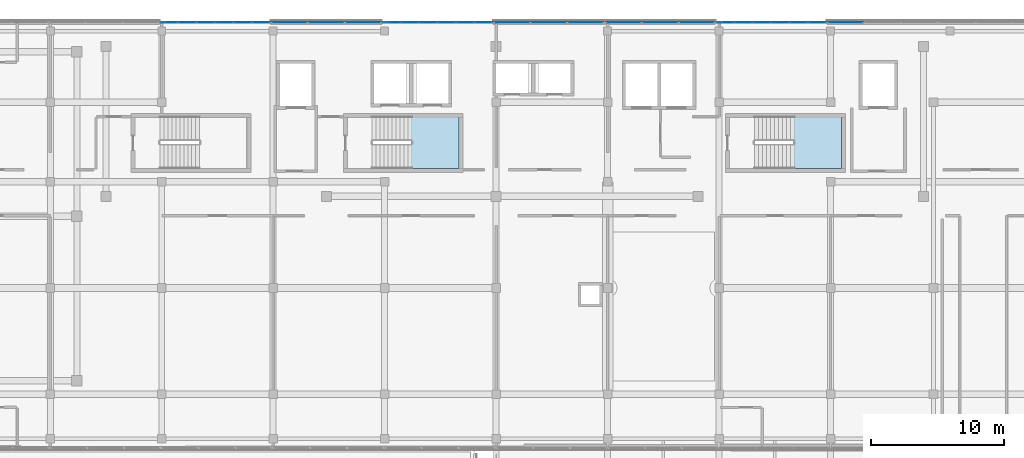
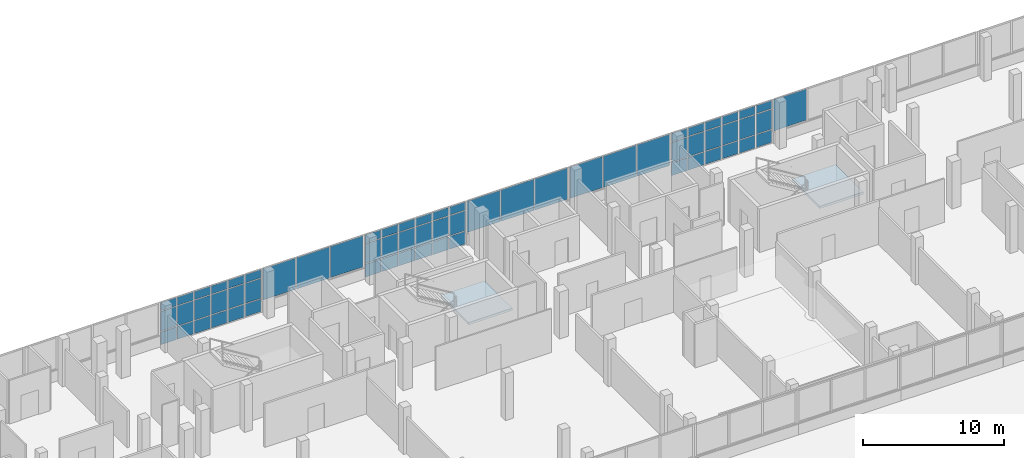
# One storey, part 62 of 78: 64 plates, 2 slabs, 9 elements without a shape of their own.
"""IFC4 building model written with IfcOpenShell, lengths in metres."""

from ifc_helpers import new_model, si_unit, direction, frame, origin, origin_2d, place, context, subcontext, project, spatial, polyline, rectangle, outline, extrude, material, layer, layer_set, type_object, element, aggregate, save


model = new_model("IFC4")

# Units and contexts
model_context = context("Model", 3, precision=1e-05, world=origin(), true_north=direction((0.0, 1.0)))
body_context = subcontext(model_context, "Body", "Model", "MODEL_VIEW")
ifc_project = project(units=[si_unit("LENGTHUNIT", "METRE"), si_unit("AREAUNIT", "SQUARE_METRE"), si_unit("VOLUMEUNIT", "CUBIC_METRE"), si_unit("PLANEANGLEUNIT", "RADIAN"), si_unit("MASSUNIT", "GRAM", prefix="KILO")], contexts=[model_context])

# Site, building, storey
site_placement = place(None, origin())
site = spatial("IfcSite", under=ifc_project, at=site_placement, CompositionType="ELEMENT")
building_placement = place(site_placement, origin())
building = spatial("IfcBuilding", under=site, at=building_placement, Name="Selatvlak General Hospital", CompositionType="ELEMENT")
storey_placement = place(building_placement, frame((0.0, 0.0, 23.25)))
storey = spatial("IfcBuildingStorey", under=building, at=storey_placement, Name="L05", CompositionType="ELEMENT", Elevation=23.25)

# Curtain wall, plates
ifc_material_1 = material(Name="Solar-control Low-E double glazing", Category="glass")
curtain_wall_type_1 = type_object("IfcCurtainWallType", Name="CW-CW-04", PredefinedType="USERDEFINED", material=ifc_material_1)
curtain_wall_1_placement = place(storey_placement, origin())
curtain_wall_1 = element("IfcCurtainWall", 1, at=curtain_wall_1_placement, inside=storey, type_object=curtain_wall_type_1, Name="Glazed facade curtain wall CW-L05-0555", ObjectType="STICK GLAZING WALL", PredefinedType="USERDEFINED")
ifc_layer_1 = layer(ifc_material_1, 0.028076171875, Name="Solar-control Low-E double glazing", Category="glass")
ifc_layer_set_1 = layer_set([ifc_layer_1], Name="Solar-control Low-E double glazing")
plate_type = type_object("IfcPlateType", Name="CWP-01", PredefinedType="CURTAIN_PANEL", material=ifc_layer_set_1)
plate_1_placement = place(storey_placement, frame((90.55810546875, 119.9990234375, 0.06494140625), z_axis=(0.0, 0.0, 1.0), x_axis=(1.0, 0.0, 0.0)))
plate_1 = element("IfcPlate", 2, at=plate_1_placement, type_object=plate_type, Name="CW-04 panel 1.1", PredefinedType="CURTAIN_PANEL", context=body_context, shape_type="SweptSolid", body=[
    extrude(rectangle(XDim=1.2939453125, YDim=0.028076171875, at=origin_2d()), origin(), (0.0, 0.0, 1.0), 1.1025390625),
])
plate_2_placement = place(storey_placement, frame((90.55810546875, 119.9990234375, 1.232421875), z_axis=(0.0, 0.0, 1.0), x_axis=(1.0, 0.0, 0.0)))
plate_2 = element("IfcPlate", 3, at=plate_2_placement, type_object=plate_type, Name="CW-04 panel 1.2", PredefinedType="CURTAIN_PANEL", context=body_context, shape_type="SweptSolid", body=[
    extrude(rectangle(XDim=1.2939453125, YDim=0.028076171875, at=origin_2d()), origin(), (0.0, 0.0, 1.0), 1.7099609375),
])
plate_3_placement = place(storey_placement, frame((90.55810546875, 119.9990234375, 3.00732421875), z_axis=(0.0, 0.0, 1.0), x_axis=(1.0, 0.0, 0.0)))
plate_3 = element("IfcPlate", 4, at=plate_3_placement, type_object=plate_type, Name="CW-04 panel 1.3", PredefinedType="CURTAIN_PANEL", context=body_context, shape_type="SweptSolid", body=[
    extrude(rectangle(XDim=1.2939453125, YDim=0.028076171875, at=origin_2d()), origin(), (0.0, 0.0, 1.0), 0.702392578125),
])
plate_4_placement = place(storey_placement, frame((91.933349609375, 119.9990234375, 0.06494140625), z_axis=(0.0, 0.0, 1.0), x_axis=(1.0, 0.0, 0.0)))
plate_4 = element("IfcPlate", 5, at=plate_4_placement, type_object=plate_type, Name="CW-04 panel 2.1", PredefinedType="CURTAIN_PANEL", context=body_context, shape_type="SweptSolid", body=[
    extrude(rectangle(XDim=1.326416015625, YDim=0.028076171875, at=origin_2d()), origin(), (0.0, 0.0, 1.0), 1.1025390625),
])
plate_5_placement = place(storey_placement, frame((91.933349609375, 119.9990234375, 1.232421875), z_axis=(0.0, 0.0, 1.0), x_axis=(1.0, 0.0, 0.0)))
plate_5 = element("IfcPlate", 6, at=plate_5_placement, type_object=plate_type, Name="CW-04 panel 2.2", PredefinedType="CURTAIN_PANEL", context=body_context, shape_type="SweptSolid", body=[
    extrude(rectangle(XDim=1.326416015625, YDim=0.028076171875, at=origin_2d()), origin(), (0.0, 0.0, 1.0), 1.7099609375),
])
plate_6_placement = place(storey_placement, frame((91.933349609375, 119.9990234375, 3.00732421875), z_axis=(0.0, 0.0, 1.0), x_axis=(1.0, 0.0, 0.0)))
plate_6 = element("IfcPlate", 7, at=plate_6_placement, type_object=plate_type, Name="CW-04 panel 2.3", PredefinedType="CURTAIN_PANEL", context=body_context, shape_type="SweptSolid", body=[
    extrude(rectangle(XDim=1.326416015625, YDim=0.028076171875, at=origin_2d()), origin(), (0.0, 0.0, 1.0), 0.702392578125),
])
plate_7_placement = place(storey_placement, frame((93.32470703125, 119.9990234375, 0.06494140625), z_axis=(0.0, 0.0, 1.0), x_axis=(1.0, 0.0, 0.0)))
plate_7 = element("IfcPlate", 8, at=plate_7_placement, type_object=plate_type, Name="CW-04 panel 3.1", PredefinedType="CURTAIN_PANEL", context=body_context, shape_type="SweptSolid", body=[
    extrude(rectangle(XDim=1.326416015625, YDim=0.028076171875, at=origin_2d()), origin(), (0.0, 0.0, 1.0), 1.1025390625),
])
plate_8_placement = place(storey_placement, frame((93.32470703125, 119.9990234375, 1.232421875), z_axis=(0.0, 0.0, 1.0), x_axis=(1.0, 0.0, 0.0)))
plate_8 = element("IfcPlate", 9, at=plate_8_placement, type_object=plate_type, Name="CW-04 panel 3.2", PredefinedType="CURTAIN_PANEL", context=body_context, shape_type="SweptSolid", body=[
    extrude(rectangle(XDim=1.326416015625, YDim=0.028076171875, at=origin_2d()), origin(), (0.0, 0.0, 1.0), 1.7099609375),
])
plate_9_placement = place(storey_placement, frame((93.32470703125, 119.9990234375, 3.00732421875), z_axis=(0.0, 0.0, 1.0), x_axis=(1.0, 0.0, 0.0)))
plate_9 = element("IfcPlate", 10, at=plate_9_placement, type_object=plate_type, Name="CW-04 panel 3.3", PredefinedType="CURTAIN_PANEL", context=body_context, shape_type="SweptSolid", body=[
    extrude(rectangle(XDim=1.326416015625, YDim=0.028076171875, at=origin_2d()), origin(), (0.0, 0.0, 1.0), 0.702392578125),
])
plate_10_placement = place(storey_placement, frame((94.71630859375, 119.9990234375, 0.06494140625), z_axis=(0.0, 0.0, 1.0), x_axis=(1.0, 0.0, 0.0)))
plate_10 = element("IfcPlate", 11, at=plate_10_placement, type_object=plate_type, Name="CW-04 panel 4.1", PredefinedType="CURTAIN_PANEL", context=body_context, shape_type="SweptSolid", body=[
    extrude(rectangle(XDim=1.326416015625, YDim=0.028076171875, at=origin_2d()), origin(), (0.0, 0.0, 1.0), 1.1025390625),
])
plate_11_placement = place(storey_placement, frame((94.71630859375, 119.9990234375, 1.232421875), z_axis=(0.0, 0.0, 1.0), x_axis=(1.0, 0.0, 0.0)))
plate_11 = element("IfcPlate", 12, at=plate_11_placement, type_object=plate_type, Name="CW-04 panel 4.2", PredefinedType="CURTAIN_PANEL", context=body_context, shape_type="SweptSolid", body=[
    extrude(rectangle(XDim=1.326416015625, YDim=0.028076171875, at=origin_2d()), origin(), (0.0, 0.0, 1.0), 1.7099609375),
])
plate_12_placement = place(storey_placement, frame((94.71630859375, 119.9990234375, 3.00732421875), z_axis=(0.0, 0.0, 1.0), x_axis=(1.0, 0.0, 0.0)))
plate_12 = element("IfcPlate", 13, at=plate_12_placement, type_object=plate_type, Name="CW-04 panel 4.3", PredefinedType="CURTAIN_PANEL", context=body_context, shape_type="SweptSolid", body=[
    extrude(rectangle(XDim=1.326416015625, YDim=0.028076171875, at=origin_2d()), origin(), (0.0, 0.0, 1.0), 0.702392578125),
])
plate_13_placement = place(storey_placement, frame((96.107666015625, 119.9990234375, 0.06494140625), z_axis=(0.0, 0.0, 1.0), x_axis=(1.0, 0.0, 0.0)))
plate_13 = element("IfcPlate", 14, at=plate_13_placement, type_object=plate_type, Name="CW-04 panel 5.1", PredefinedType="CURTAIN_PANEL", context=body_context, shape_type="SweptSolid", body=[
    extrude(rectangle(XDim=1.326416015625, YDim=0.028076171875, at=origin_2d()), origin(), (0.0, 0.0, 1.0), 1.1025390625),
])
plate_14_placement = place(storey_placement, frame((96.107666015625, 119.9990234375, 1.232421875), z_axis=(0.0, 0.0, 1.0), x_axis=(1.0, 0.0, 0.0)))
plate_14 = element("IfcPlate", 15, at=plate_14_placement, type_object=plate_type, Name="CW-04 panel 5.2", PredefinedType="CURTAIN_PANEL", context=body_context, shape_type="SweptSolid", body=[
    extrude(rectangle(XDim=1.326416015625, YDim=0.028076171875, at=origin_2d()), origin(), (0.0, 0.0, 1.0), 1.7099609375),
])
plate_15_placement = place(storey_placement, frame((96.107666015625, 119.9990234375, 3.00732421875), z_axis=(0.0, 0.0, 1.0), x_axis=(1.0, 0.0, 0.0)))
plate_15 = element("IfcPlate", 16, at=plate_15_placement, type_object=plate_type, Name="CW-04 panel 5.3", PredefinedType="CURTAIN_PANEL", context=body_context, shape_type="SweptSolid", body=[
    extrude(rectangle(XDim=1.326416015625, YDim=0.028076171875, at=origin_2d()), origin(), (0.0, 0.0, 1.0), 0.702392578125),
])
plate_16_placement = place(storey_placement, frame((97.48291015625, 119.9990234375, 0.06494140625), z_axis=(0.0, 0.0, 1.0), x_axis=(1.0, 0.0, 0.0)))
plate_16 = element("IfcPlate", 17, at=plate_16_placement, type_object=plate_type, Name="CW-04 panel 6.1", PredefinedType="CURTAIN_PANEL", context=body_context, shape_type="SweptSolid", body=[
    extrude(rectangle(XDim=1.2939453125, YDim=0.028076171875, at=origin_2d()), origin(), (0.0, 0.0, 1.0), 1.1025390625),
])
plate_17_placement = place(storey_placement, frame((97.48291015625, 119.9990234375, 1.232421875), z_axis=(0.0, 0.0, 1.0), x_axis=(1.0, 0.0, 0.0)))
plate_17 = element("IfcPlate", 18, at=plate_17_placement, type_object=plate_type, Name="CW-04 panel 6.2", PredefinedType="CURTAIN_PANEL", context=body_context, shape_type="SweptSolid", body=[
    extrude(rectangle(XDim=1.2939453125, YDim=0.028076171875, at=origin_2d()), origin(), (0.0, 0.0, 1.0), 1.7099609375),
])
plate_18_placement = place(storey_placement, frame((97.48291015625, 119.9990234375, 3.00732421875), z_axis=(0.0, 0.0, 1.0), x_axis=(1.0, 0.0, 0.0)))
plate_18 = element("IfcPlate", 19, at=plate_18_placement, type_object=plate_type, Name="CW-04 panel 6.3", PredefinedType="CURTAIN_PANEL", context=body_context, shape_type="SweptSolid", body=[
    extrude(rectangle(XDim=1.2939453125, YDim=0.028076171875, at=origin_2d()), origin(), (0.0, 0.0, 1.0), 0.702392578125),
])
aggregate(curtain_wall_1, [plate_1, plate_2, plate_3, plate_4, plate_5, plate_6, plate_7, plate_8, plate_9, plate_10, plate_11, plate_12, plate_13, plate_14, plate_15, plate_16, plate_17, plate_18])

curtain_wall_type_2 = type_object("IfcCurtainWallType", Name="CW-CW-02", PredefinedType="USERDEFINED", material=ifc_material_1)
curtain_wall_2_placement = place(storey_placement, origin())
curtain_wall_2 = element("IfcCurtainWall", 20, at=curtain_wall_2_placement, inside=storey, type_object=curtain_wall_type_2, Name="Glazed facade curtain wall CW-L05-0556", ObjectType="UNITISED CURTAIN WALL", PredefinedType="USERDEFINED")
plate_19_placement = place(storey_placement, frame((99.6328125, 119.999267578125, 1.0048828125), z_axis=(0.0, 0.0, 1.0), x_axis=(0.999999992827, 0.000119774825, 0.0)))
plate_19 = element("IfcPlate", 21, at=plate_19_placement, type_object=plate_type, Name="CW-02 panel 1.1", PredefinedType="CURTAIN_PANEL", context=body_context, shape_type="SweptSolid", body=[
    extrude(rectangle(XDim=2.685546875, YDim=0.028076171875, at=origin_2d()), origin(), (0.0, 0.0, 1.0), 2.705078125),
])
plate_20_placement = place(storey_placement, frame((102.3994140625, 119.99951171875, 1.0048828125), z_axis=(0.0, 0.0, 1.0), x_axis=(0.999999992827, 0.000119774825, 0.0)))
plate_20 = element("IfcPlate", 22, at=plate_20_placement, type_object=plate_type, Name="CW-02 panel 2.1", PredefinedType="CURTAIN_PANEL", context=body_context, shape_type="SweptSolid", body=[
    extrude(rectangle(XDim=2.718017578125, YDim=0.028076171875, at=origin_2d()), origin(), (0.0, 0.0, 1.0), 2.705078125),
])
plate_21_placement = place(storey_placement, frame((105.166259765625, 119.999755859375, 1.0048828125), z_axis=(0.0, 0.0, 1.0), x_axis=(0.999999992827, 0.000119774825, 0.0)))
plate_21 = element("IfcPlate", 23, at=plate_21_placement, type_object=plate_type, Name="CW-02 panel 3.1", PredefinedType="CURTAIN_PANEL", context=body_context, shape_type="SweptSolid", body=[
    extrude(rectangle(XDim=2.685546875, YDim=0.028076171875, at=origin_2d()), origin(), (0.0, 0.0, 1.0), 2.705078125),
])
aggregate(curtain_wall_2, [plate_19, plate_20, plate_21])

curtain_wall_3_placement = place(storey_placement, origin())
curtain_wall_3 = element("IfcCurtainWall", 24, at=curtain_wall_3_placement, inside=storey, type_object=curtain_wall_type_1, Name="Glazed facade curtain wall CW-L05-0557", ObjectType="STICK GLAZING WALL", PredefinedType="USERDEFINED")
plate_22_placement = place(storey_placement, frame((107.31591796875, 120.0, 0.06494140625), z_axis=(0.0, 0.0, 1.0), x_axis=(1.0, 0.0, 0.0)))
plate_22 = element("IfcPlate", 25, at=plate_22_placement, type_object=plate_type, Name="CW-04 panel 1.1", PredefinedType="CURTAIN_PANEL", context=body_context, shape_type="SweptSolid", body=[
    extrude(rectangle(XDim=1.2939453125, YDim=0.028076171875, at=origin_2d()), origin(), (0.0, 0.0, 1.0), 1.1025390625),
])
plate_23_placement = place(storey_placement, frame((107.31591796875, 120.0, 1.232421875), z_axis=(0.0, 0.0, 1.0), x_axis=(1.0, 0.0, 0.0)))
plate_23 = element("IfcPlate", 26, at=plate_23_placement, type_object=plate_type, Name="CW-04 panel 1.2", PredefinedType="CURTAIN_PANEL", context=body_context, shape_type="SweptSolid", body=[
    extrude(rectangle(XDim=1.2939453125, YDim=0.028076171875, at=origin_2d()), origin(), (0.0, 0.0, 1.0), 1.7099609375),
])
plate_24_placement = place(storey_placement, frame((107.31591796875, 120.0, 3.00732421875), z_axis=(0.0, 0.0, 1.0), x_axis=(1.0, 0.0, 0.0)))
plate_24 = element("IfcPlate", 27, at=plate_24_placement, type_object=plate_type, Name="CW-04 panel 1.3", PredefinedType="CURTAIN_PANEL", context=body_context, shape_type="SweptSolid", body=[
    extrude(rectangle(XDim=1.2939453125, YDim=0.028076171875, at=origin_2d()), origin(), (0.0, 0.0, 1.0), 0.702392578125),
])
plate_25_placement = place(storey_placement, frame((108.691162109375, 120.0, 0.06494140625), z_axis=(0.0, 0.0, 1.0), x_axis=(1.0, 0.0, 0.0)))
plate_25 = element("IfcPlate", 28, at=plate_25_placement, type_object=plate_type, Name="CW-04 panel 2.1", PredefinedType="CURTAIN_PANEL", context=body_context, shape_type="SweptSolid", body=[
    extrude(rectangle(XDim=1.326416015625, YDim=0.028076171875, at=origin_2d()), origin(), (0.0, 0.0, 1.0), 1.1025390625),
])
plate_26_placement = place(storey_placement, frame((108.691162109375, 120.0, 1.232421875), z_axis=(0.0, 0.0, 1.0), x_axis=(1.0, 0.0, 0.0)))
plate_26 = element("IfcPlate", 29, at=plate_26_placement, type_object=plate_type, Name="CW-04 panel 2.2", PredefinedType="CURTAIN_PANEL", context=body_context, shape_type="SweptSolid", body=[
    extrude(rectangle(XDim=1.326416015625, YDim=0.028076171875, at=origin_2d()), origin(), (0.0, 0.0, 1.0), 1.7099609375),
])
plate_27_placement = place(storey_placement, frame((108.691162109375, 120.0, 3.00732421875), z_axis=(0.0, 0.0, 1.0), x_axis=(1.0, 0.0, 0.0)))
plate_27 = element("IfcPlate", 30, at=plate_27_placement, type_object=plate_type, Name="CW-04 panel 2.3", PredefinedType="CURTAIN_PANEL", context=body_context, shape_type="SweptSolid", body=[
    extrude(rectangle(XDim=1.326416015625, YDim=0.028076171875, at=origin_2d()), origin(), (0.0, 0.0, 1.0), 0.702392578125),
])
plate_28_placement = place(storey_placement, frame((110.082763671875, 120.0, 0.06494140625), z_axis=(0.0, 0.0, 1.0), x_axis=(1.0, 0.0, 0.0)))
plate_28 = element("IfcPlate", 31, at=plate_28_placement, type_object=plate_type, Name="CW-04 panel 3.1", PredefinedType="CURTAIN_PANEL", context=body_context, shape_type="SweptSolid", body=[
    extrude(rectangle(XDim=1.326416015625, YDim=0.028076171875, at=origin_2d()), origin(), (0.0, 0.0, 1.0), 1.1025390625),
])
plate_29_placement = place(storey_placement, frame((110.082763671875, 120.0, 1.232421875), z_axis=(0.0, 0.0, 1.0), x_axis=(1.0, 0.0, 0.0)))
plate_29 = element("IfcPlate", 32, at=plate_29_placement, type_object=plate_type, Name="CW-04 panel 3.2", PredefinedType="CURTAIN_PANEL", context=body_context, shape_type="SweptSolid", body=[
    extrude(rectangle(XDim=1.326416015625, YDim=0.028076171875, at=origin_2d()), origin(), (0.0, 0.0, 1.0), 1.7099609375),
])
plate_30_placement = place(storey_placement, frame((110.082763671875, 120.0, 3.00732421875), z_axis=(0.0, 0.0, 1.0), x_axis=(1.0, 0.0, 0.0)))
plate_30 = element("IfcPlate", 33, at=plate_30_placement, type_object=plate_type, Name="CW-04 panel 3.3", PredefinedType="CURTAIN_PANEL", context=body_context, shape_type="SweptSolid", body=[
    extrude(rectangle(XDim=1.326416015625, YDim=0.028076171875, at=origin_2d()), origin(), (0.0, 0.0, 1.0), 0.702392578125),
])
plate_31_placement = place(storey_placement, frame((111.474365234375, 120.0, 0.06494140625), z_axis=(0.0, 0.0, 1.0), x_axis=(1.0, 0.0, 0.0)))
plate_31 = element("IfcPlate", 34, at=plate_31_placement, type_object=plate_type, Name="CW-04 panel 4.1", PredefinedType="CURTAIN_PANEL", context=body_context, shape_type="SweptSolid", body=[
    extrude(rectangle(XDim=1.326416015625, YDim=0.028076171875, at=origin_2d()), origin(), (0.0, 0.0, 1.0), 1.1025390625),
])
plate_32_placement = place(storey_placement, frame((111.474365234375, 120.0, 1.232421875), z_axis=(0.0, 0.0, 1.0), x_axis=(1.0, 0.0, 0.0)))
plate_32 = element("IfcPlate", 35, at=plate_32_placement, type_object=plate_type, Name="CW-04 panel 4.2", PredefinedType="CURTAIN_PANEL", context=body_context, shape_type="SweptSolid", body=[
    extrude(rectangle(XDim=1.326416015625, YDim=0.028076171875, at=origin_2d()), origin(), (0.0, 0.0, 1.0), 1.7099609375),
])
plate_33_placement = place(storey_placement, frame((111.474365234375, 120.0, 3.00732421875), z_axis=(0.0, 0.0, 1.0), x_axis=(1.0, 0.0, 0.0)))
plate_33 = element("IfcPlate", 36, at=plate_33_placement, type_object=plate_type, Name="CW-04 panel 4.3", PredefinedType="CURTAIN_PANEL", context=body_context, shape_type="SweptSolid", body=[
    extrude(rectangle(XDim=1.326416015625, YDim=0.028076171875, at=origin_2d()), origin(), (0.0, 0.0, 1.0), 0.702392578125),
])
plate_34_placement = place(storey_placement, frame((112.86572265625, 120.0, 0.06494140625), z_axis=(0.0, 0.0, 1.0), x_axis=(1.0, 0.0, 0.0)))
plate_34 = element("IfcPlate", 37, at=plate_34_placement, type_object=plate_type, Name="CW-04 panel 5.1", PredefinedType="CURTAIN_PANEL", context=body_context, shape_type="SweptSolid", body=[
    extrude(rectangle(XDim=1.326416015625, YDim=0.028076171875, at=origin_2d()), origin(), (0.0, 0.0, 1.0), 1.1025390625),
])
plate_35_placement = place(storey_placement, frame((112.86572265625, 120.0, 1.232421875), z_axis=(0.0, 0.0, 1.0), x_axis=(1.0, 0.0, 0.0)))
plate_35 = element("IfcPlate", 38, at=plate_35_placement, type_object=plate_type, Name="CW-04 panel 5.2", PredefinedType="CURTAIN_PANEL", context=body_context, shape_type="SweptSolid", body=[
    extrude(rectangle(XDim=1.326416015625, YDim=0.028076171875, at=origin_2d()), origin(), (0.0, 0.0, 1.0), 1.7099609375),
])
plate_36_placement = place(storey_placement, frame((112.86572265625, 120.0, 3.00732421875), z_axis=(0.0, 0.0, 1.0), x_axis=(1.0, 0.0, 0.0)))
plate_36 = element("IfcPlate", 39, at=plate_36_placement, type_object=plate_type, Name="CW-04 panel 5.3", PredefinedType="CURTAIN_PANEL", context=body_context, shape_type="SweptSolid", body=[
    extrude(rectangle(XDim=1.326416015625, YDim=0.028076171875, at=origin_2d()), origin(), (0.0, 0.0, 1.0), 0.702392578125),
])
plate_37_placement = place(storey_placement, frame((114.240966796875, 120.0, 0.06494140625), z_axis=(0.0, 0.0, 1.0), x_axis=(1.0, 0.0, 0.0)))
plate_37 = element("IfcPlate", 40, at=plate_37_placement, type_object=plate_type, Name="CW-04 panel 6.1", PredefinedType="CURTAIN_PANEL", context=body_context, shape_type="SweptSolid", body=[
    extrude(rectangle(XDim=1.2939453125, YDim=0.028076171875, at=origin_2d()), origin(), (0.0, 0.0, 1.0), 1.1025390625),
])
plate_38_placement = place(storey_placement, frame((114.240966796875, 120.0, 1.232421875), z_axis=(0.0, 0.0, 1.0), x_axis=(1.0, 0.0, 0.0)))
plate_38 = element("IfcPlate", 41, at=plate_38_placement, type_object=plate_type, Name="CW-04 panel 6.2", PredefinedType="CURTAIN_PANEL", context=body_context, shape_type="SweptSolid", body=[
    extrude(rectangle(XDim=1.2939453125, YDim=0.028076171875, at=origin_2d()), origin(), (0.0, 0.0, 1.0), 1.7099609375),
])
plate_39_placement = place(storey_placement, frame((114.240966796875, 120.0, 3.00732421875), z_axis=(0.0, 0.0, 1.0), x_axis=(1.0, 0.0, 0.0)))
plate_39 = element("IfcPlate", 42, at=plate_39_placement, type_object=plate_type, Name="CW-04 panel 6.3", PredefinedType="CURTAIN_PANEL", context=body_context, shape_type="SweptSolid", body=[
    extrude(rectangle(XDim=1.2939453125, YDim=0.028076171875, at=origin_2d()), origin(), (0.0, 0.0, 1.0), 0.702392578125),
])
aggregate(curtain_wall_3, [plate_22, plate_23, plate_24, plate_25, plate_26, plate_27, plate_28, plate_29, plate_30, plate_31, plate_32, plate_33, plate_34, plate_35, plate_36, plate_37, plate_38, plate_39])

curtain_wall_4_placement = place(storey_placement, origin())
curtain_wall_4 = element("IfcCurtainWall", 43, at=curtain_wall_4_placement, inside=storey, type_object=curtain_wall_type_2, Name="Glazed facade curtain wall CW-L05-0558", ObjectType="UNITISED CURTAIN WALL", PredefinedType="USERDEFINED")
plate_40_placement = place(storey_placement, frame((116.390869140625, 120.0, 1.0048828125), z_axis=(0.0, 0.0, 1.0), x_axis=(1.0, 0.0, 0.0)))
plate_40 = element("IfcPlate", 44, at=plate_40_placement, type_object=plate_type, Name="CW-02 panel 1.1", PredefinedType="CURTAIN_PANEL", context=body_context, shape_type="SweptSolid", body=[
    extrude(rectangle(XDim=2.685546875, YDim=0.028076171875, at=origin_2d()), origin(), (0.0, 0.0, 1.0), 2.705078125),
])
plate_41_placement = place(storey_placement, frame((119.157470703125, 120.0, 1.0048828125), z_axis=(0.0, 0.0, 1.0), x_axis=(1.0, 0.0, 0.0)))
plate_41 = element("IfcPlate", 45, at=plate_41_placement, type_object=plate_type, Name="CW-02 panel 2.1", PredefinedType="CURTAIN_PANEL", context=body_context, shape_type="SweptSolid", body=[
    extrude(rectangle(XDim=2.718017578125, YDim=0.028076171875, at=origin_2d()), origin(), (0.0, 0.0, 1.0), 2.705078125),
])
plate_42_placement = place(storey_placement, frame((121.92431640625, 120.0, 1.0048828125), z_axis=(0.0, 0.0, 1.0), x_axis=(1.0, 0.0, 0.0)))
plate_42 = element("IfcPlate", 46, at=plate_42_placement, type_object=plate_type, Name="CW-02 panel 3.1", PredefinedType="CURTAIN_PANEL", context=body_context, shape_type="SweptSolid", body=[
    extrude(rectangle(XDim=2.685546875, YDim=0.028076171875, at=origin_2d()), origin(), (0.0, 0.0, 1.0), 2.705078125),
])
aggregate(curtain_wall_4, [plate_40, plate_41, plate_42])

curtain_wall_type_3 = type_object("IfcCurtainWallType", Name="CW-CW-01", PredefinedType="USERDEFINED", material=ifc_material_1)
curtain_wall_5_placement = place(storey_placement, origin())
curtain_wall_5 = element("IfcCurtainWall", 47, at=curtain_wall_5_placement, inside=storey, type_object=curtain_wall_type_3, Name="Glazed facade curtain wall CW-L05-0559", ObjectType="UNITISED CURTAIN WALL", PredefinedType="USERDEFINED")
plate_43_placement = place(storey_placement, frame((124.8115234375, 120.0, 1.0048828125), z_axis=(0.0, 0.0, 1.0), x_axis=(1.0, 0.0, 0.0)))
plate_43 = element("IfcPlate", 48, at=plate_43_placement, type_object=plate_type, Name="CW-01 panel 1.1", PredefinedType="CURTAIN_PANEL", context=body_context, shape_type="SweptSolid", body=[
    extrude(rectangle(XDim=2.6689453125, YDim=0.028076171875, at=origin_2d()), origin(), (0.0, 0.0, 1.0), 2.705078125),
])
plate_44_placement = place(storey_placement, frame((127.5615234375, 120.0, 1.0048828125), z_axis=(0.0, 0.0, 1.0), x_axis=(1.0, 0.0, 0.0)))
plate_44 = element("IfcPlate", 49, at=plate_44_placement, type_object=plate_type, Name="CW-01 panel 2.1", PredefinedType="CURTAIN_PANEL", context=body_context, shape_type="SweptSolid", body=[
    extrude(rectangle(XDim=2.701416015625, YDim=0.028076171875, at=origin_2d()), origin(), (0.0, 0.0, 1.0), 2.705078125),
])
plate_45_placement = place(storey_placement, frame((130.3115234375, 120.0, 1.0048828125), z_axis=(0.0, 0.0, 1.0), x_axis=(1.0, 0.0, 0.0)))
plate_45 = element("IfcPlate", 50, at=plate_45_placement, type_object=plate_type, Name="CW-01 panel 3.1", PredefinedType="CURTAIN_PANEL", context=body_context, shape_type="SweptSolid", body=[
    extrude(rectangle(XDim=2.6689453125, YDim=0.028076171875, at=origin_2d()), origin(), (0.0, 0.0, 1.0), 2.705078125),
])
aggregate(curtain_wall_5, [plate_43, plate_44, plate_45])

curtain_wall_6_placement = place(storey_placement, origin())
curtain_wall_6 = element("IfcCurtainWall", 51, at=curtain_wall_6_placement, inside=storey, type_object=curtain_wall_type_1, Name="Glazed facade curtain wall CW-L05-0560", ObjectType="STICK GLAZING WALL", PredefinedType="USERDEFINED")
plate_46_placement = place(storey_placement, frame((132.452880859375, 120.0, 0.06494140625), z_axis=(0.0, 0.0, 1.0), x_axis=(1.0, 0.0, 0.0)))
plate_46 = element("IfcPlate", 52, at=plate_46_placement, type_object=plate_type, Name="CW-04 panel 1.1", PredefinedType="CURTAIN_PANEL", context=body_context, shape_type="SweptSolid", body=[
    extrude(rectangle(XDim=1.2939453125, YDim=0.028076171875, at=origin_2d()), origin(), (0.0, 0.0, 1.0), 1.1025390625),
])
plate_47_placement = place(storey_placement, frame((132.452880859375, 120.0, 1.232421875), z_axis=(0.0, 0.0, 1.0), x_axis=(1.0, 0.0, 0.0)))
plate_47 = element("IfcPlate", 53, at=plate_47_placement, type_object=plate_type, Name="CW-04 panel 1.2", PredefinedType="CURTAIN_PANEL", context=body_context, shape_type="SweptSolid", body=[
    extrude(rectangle(XDim=1.2939453125, YDim=0.028076171875, at=origin_2d()), origin(), (0.0, 0.0, 1.0), 1.7099609375),
])
plate_48_placement = place(storey_placement, frame((132.452880859375, 120.0, 3.00732421875), z_axis=(0.0, 0.0, 1.0), x_axis=(1.0, 0.0, 0.0)))
plate_48 = element("IfcPlate", 54, at=plate_48_placement, type_object=plate_type, Name="CW-04 panel 1.3", PredefinedType="CURTAIN_PANEL", context=body_context, shape_type="SweptSolid", body=[
    extrude(rectangle(XDim=1.2939453125, YDim=0.028076171875, at=origin_2d()), origin(), (0.0, 0.0, 1.0), 0.702392578125),
])
plate_49_placement = place(storey_placement, frame((133.828369140625, 120.0, 0.06494140625), z_axis=(0.0, 0.0, 1.0), x_axis=(1.0, 0.0, 0.0)))
plate_49 = element("IfcPlate", 55, at=plate_49_placement, type_object=plate_type, Name="CW-04 panel 2.1", PredefinedType="CURTAIN_PANEL", context=body_context, shape_type="SweptSolid", body=[
    extrude(rectangle(XDim=1.326416015625, YDim=0.028076171875, at=origin_2d()), origin(), (0.0, 0.0, 1.0), 1.1025390625),
])
plate_50_placement = place(storey_placement, frame((133.828369140625, 120.0, 1.232421875), z_axis=(0.0, 0.0, 1.0), x_axis=(1.0, 0.0, 0.0)))
plate_50 = element("IfcPlate", 56, at=plate_50_placement, type_object=plate_type, Name="CW-04 panel 2.2", PredefinedType="CURTAIN_PANEL", context=body_context, shape_type="SweptSolid", body=[
    extrude(rectangle(XDim=1.326416015625, YDim=0.028076171875, at=origin_2d()), origin(), (0.0, 0.0, 1.0), 1.7099609375),
])
plate_51_placement = place(storey_placement, frame((133.828369140625, 120.0, 3.00732421875), z_axis=(0.0, 0.0, 1.0), x_axis=(1.0, 0.0, 0.0)))
plate_51 = element("IfcPlate", 57, at=plate_51_placement, type_object=plate_type, Name="CW-04 panel 2.3", PredefinedType="CURTAIN_PANEL", context=body_context, shape_type="SweptSolid", body=[
    extrude(rectangle(XDim=1.326416015625, YDim=0.028076171875, at=origin_2d()), origin(), (0.0, 0.0, 1.0), 0.702392578125),
])
plate_52_placement = place(storey_placement, frame((135.2197265625, 120.0, 0.06494140625), z_axis=(0.0, 0.0, 1.0), x_axis=(1.0, 0.0, 0.0)))
plate_52 = element("IfcPlate", 58, at=plate_52_placement, type_object=plate_type, Name="CW-04 panel 3.1", PredefinedType="CURTAIN_PANEL", context=body_context, shape_type="SweptSolid", body=[
    extrude(rectangle(XDim=1.326416015625, YDim=0.028076171875, at=origin_2d()), origin(), (0.0, 0.0, 1.0), 1.1025390625),
])
plate_53_placement = place(storey_placement, frame((135.2197265625, 120.0, 1.232421875), z_axis=(0.0, 0.0, 1.0), x_axis=(1.0, 0.0, 0.0)))
plate_53 = element("IfcPlate", 59, at=plate_53_placement, type_object=plate_type, Name="CW-04 panel 3.2", PredefinedType="CURTAIN_PANEL", context=body_context, shape_type="SweptSolid", body=[
    extrude(rectangle(XDim=1.326416015625, YDim=0.028076171875, at=origin_2d()), origin(), (0.0, 0.0, 1.0), 1.7099609375),
])
plate_54_placement = place(storey_placement, frame((135.2197265625, 120.0, 3.00732421875), z_axis=(0.0, 0.0, 1.0), x_axis=(1.0, 0.0, 0.0)))
plate_54 = element("IfcPlate", 60, at=plate_54_placement, type_object=plate_type, Name="CW-04 panel 3.3", PredefinedType="CURTAIN_PANEL", context=body_context, shape_type="SweptSolid", body=[
    extrude(rectangle(XDim=1.326416015625, YDim=0.028076171875, at=origin_2d()), origin(), (0.0, 0.0, 1.0), 0.702392578125),
])
plate_55_placement = place(storey_placement, frame((136.611328125, 120.0, 0.06494140625), z_axis=(0.0, 0.0, 1.0), x_axis=(1.0, 0.0, 0.0)))
plate_55 = element("IfcPlate", 61, at=plate_55_placement, type_object=plate_type, Name="CW-04 panel 4.1", PredefinedType="CURTAIN_PANEL", context=body_context, shape_type="SweptSolid", body=[
    extrude(rectangle(XDim=1.326416015625, YDim=0.028076171875, at=origin_2d()), origin(), (0.0, 0.0, 1.0), 1.1025390625),
])
plate_56_placement = place(storey_placement, frame((136.611328125, 120.0, 1.232421875), z_axis=(0.0, 0.0, 1.0), x_axis=(1.0, 0.0, 0.0)))
plate_56 = element("IfcPlate", 62, at=plate_56_placement, type_object=plate_type, Name="CW-04 panel 4.2", PredefinedType="CURTAIN_PANEL", context=body_context, shape_type="SweptSolid", body=[
    extrude(rectangle(XDim=1.326416015625, YDim=0.028076171875, at=origin_2d()), origin(), (0.0, 0.0, 1.0), 1.7099609375),
])
plate_57_placement = place(storey_placement, frame((136.611328125, 120.0, 3.00732421875), z_axis=(0.0, 0.0, 1.0), x_axis=(1.0, 0.0, 0.0)))
plate_57 = element("IfcPlate", 63, at=plate_57_placement, type_object=plate_type, Name="CW-04 panel 4.3", PredefinedType="CURTAIN_PANEL", context=body_context, shape_type="SweptSolid", body=[
    extrude(rectangle(XDim=1.326416015625, YDim=0.028076171875, at=origin_2d()), origin(), (0.0, 0.0, 1.0), 0.702392578125),
])
plate_58_placement = place(storey_placement, frame((138.002685546875, 120.0, 0.06494140625), z_axis=(0.0, 0.0, 1.0), x_axis=(1.0, 0.0, 0.0)))
plate_58 = element("IfcPlate", 64, at=plate_58_placement, type_object=plate_type, Name="CW-04 panel 5.1", PredefinedType="CURTAIN_PANEL", context=body_context, shape_type="SweptSolid", body=[
    extrude(rectangle(XDim=1.326416015625, YDim=0.028076171875, at=origin_2d()), origin(), (0.0, 0.0, 1.0), 1.1025390625),
])
plate_59_placement = place(storey_placement, frame((138.002685546875, 120.0, 1.232421875), z_axis=(0.0, 0.0, 1.0), x_axis=(1.0, 0.0, 0.0)))
plate_59 = element("IfcPlate", 65, at=plate_59_placement, type_object=plate_type, Name="CW-04 panel 5.2", PredefinedType="CURTAIN_PANEL", context=body_context, shape_type="SweptSolid", body=[
    extrude(rectangle(XDim=1.326416015625, YDim=0.028076171875, at=origin_2d()), origin(), (0.0, 0.0, 1.0), 1.7099609375),
])
plate_60_placement = place(storey_placement, frame((138.002685546875, 120.0, 3.00732421875), z_axis=(0.0, 0.0, 1.0), x_axis=(1.0, 0.0, 0.0)))
plate_60 = element("IfcPlate", 66, at=plate_60_placement, type_object=plate_type, Name="CW-04 panel 5.3", PredefinedType="CURTAIN_PANEL", context=body_context, shape_type="SweptSolid", body=[
    extrude(rectangle(XDim=1.326416015625, YDim=0.028076171875, at=origin_2d()), origin(), (0.0, 0.0, 1.0), 0.702392578125),
])
plate_61_placement = place(storey_placement, frame((139.3779296875, 120.0, 0.06494140625), z_axis=(0.0, 0.0, 1.0), x_axis=(1.0, 0.0, 0.0)))
plate_61 = element("IfcPlate", 67, at=plate_61_placement, type_object=plate_type, Name="CW-04 panel 6.1", PredefinedType="CURTAIN_PANEL", context=body_context, shape_type="SweptSolid", body=[
    extrude(rectangle(XDim=1.2939453125, YDim=0.028076171875, at=origin_2d()), origin(), (0.0, 0.0, 1.0), 1.1025390625),
])
plate_62_placement = place(storey_placement, frame((139.3779296875, 120.0, 1.232421875), z_axis=(0.0, 0.0, 1.0), x_axis=(1.0, 0.0, 0.0)))
plate_62 = element("IfcPlate", 68, at=plate_62_placement, type_object=plate_type, Name="CW-04 panel 6.2", PredefinedType="CURTAIN_PANEL", context=body_context, shape_type="SweptSolid", body=[
    extrude(rectangle(XDim=1.2939453125, YDim=0.028076171875, at=origin_2d()), origin(), (0.0, 0.0, 1.0), 1.7099609375),
])
plate_63_placement = place(storey_placement, frame((139.3779296875, 120.0, 3.00732421875), z_axis=(0.0, 0.0, 1.0), x_axis=(1.0, 0.0, 0.0)))
plate_63 = element("IfcPlate", 69, at=plate_63_placement, type_object=plate_type, Name="CW-04 panel 6.3", PredefinedType="CURTAIN_PANEL", context=body_context, shape_type="SweptSolid", body=[
    extrude(rectangle(XDim=1.2939453125, YDim=0.028076171875, at=origin_2d()), origin(), (0.0, 0.0, 1.0), 0.702392578125),
])
aggregate(curtain_wall_6, [plate_46, plate_47, plate_48, plate_49, plate_50, plate_51, plate_52, plate_53, plate_54, plate_55, plate_56, plate_57, plate_58, plate_59, plate_60, plate_61, plate_62, plate_63])

# Curtain wall, plate
curtain_wall_7_placement = place(storey_placement, origin())
curtain_wall_7 = element("IfcCurtainWall", 70, at=curtain_wall_7_placement, inside=storey, type_object=curtain_wall_type_3, Name="Glazed facade curtain wall CW-L05-0561", ObjectType="UNITISED CURTAIN WALL", PredefinedType="USERDEFINED")
plate_64_placement = place(storey_placement, frame((141.527587890625, 120.0, 1.0048828125), z_axis=(0.0, 0.0, 1.0), x_axis=(1.0, 0.0, 0.0)))
plate_64 = element("IfcPlate", 71, at=plate_64_placement, type_object=plate_type, Name="CW-01 panel 1.1", PredefinedType="CURTAIN_PANEL", context=body_context, shape_type="SweptSolid", body=[
    extrude(rectangle(XDim=2.68505859375, YDim=0.028076171875, at=origin_2d()), origin(), (0.0, 0.0, 1.0), 2.705078125),
])
aggregate(curtain_wall_7, [plate_64])

# Stair, slab
ifc_material_2 = material(Name="Precast concrete C40/50", Category="concrete")
stair_type_1 = type_object("IfcStairType", Name="STAIR-ST-03", PredefinedType="HALF_TURN_STAIR", material=ifc_material_2)
stair_1_placement = place(storey_placement, origin())
stair_1 = element("IfcStair", 72, at=stair_1_placement, inside=storey, type_object=stair_type_1, Name="L05 Protected exit stair ST-03", PredefinedType="HALF_TURN_STAIR")
ifc_material_3 = material(Name="Concrete C40/50", Category="concrete")
ifc_layer_2 = layer(ifc_material_3, 0.199951171875, Name="Concrete C40/50", Category="concrete")
ifc_layer_set_2 = layer_set([ifc_layer_2], Name="Concrete C40/50")
slab_type = type_object("IfcSlabType", Name="SLAB-LND1", PredefinedType="LANDING", material=ifc_layer_set_2)
slab_1_placement = place(storey_placement, frame((0.0, 0.0, 1.824951171875)))
slab_1 = element("IfcSlab", 73, at=slab_1_placement, type_object=slab_type, Name="ST-03 landing 1", PredefinedType="LANDING", context=body_context, shape_type="SweptSolid", body=[
    extrude(outline(polyline([(108.81494140625, 109.0), (112.39990234375, 109.0), (112.39990234375, 112.93994140625), (108.81494140625, 112.93994140625), (108.81494140625, 109.0)])), origin(), (0.0, 0.0, 1.0), 0.199951171875),
])
aggregate(stair_1, [slab_1])

stair_type_2 = type_object("IfcStairType", Name="STAIR-ST-04", PredefinedType="HALF_TURN_STAIR", material=ifc_material_2)
stair_2_placement = place(storey_placement, origin())
stair_2 = element("IfcStair", 74, at=stair_2_placement, inside=storey, type_object=stair_type_2, Name="L05 Protected exit stair ST-04", PredefinedType="HALF_TURN_STAIR")
slab_2_placement = place(storey_placement, frame((0.0, 0.0, 1.824951171875)))
slab_2 = element("IfcSlab", 75, at=slab_2_placement, type_object=slab_type, Name="ST-04 landing 1", PredefinedType="LANDING", context=body_context, shape_type="SweptSolid", body=[
    extrude(outline(polyline([(137.614990234375, 109.0), (141.199951171875, 109.0), (141.199951171875, 112.93994140625), (137.614990234375, 112.93994140625), (137.614990234375, 109.0)])), origin(), (0.0, 0.0, 1.0), 0.199951171875),
])
aggregate(stair_2, [slab_2])

save(model, "model.ifc")
